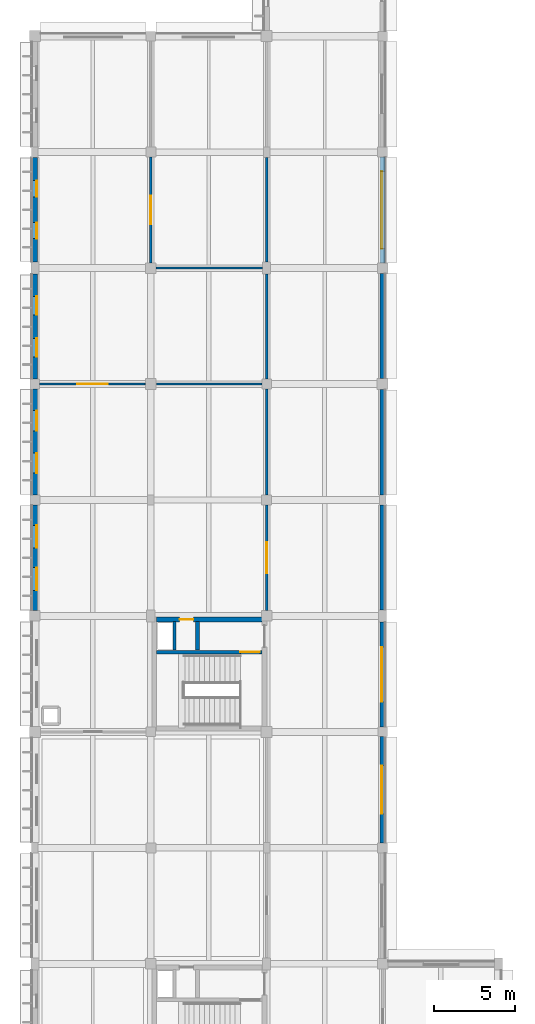
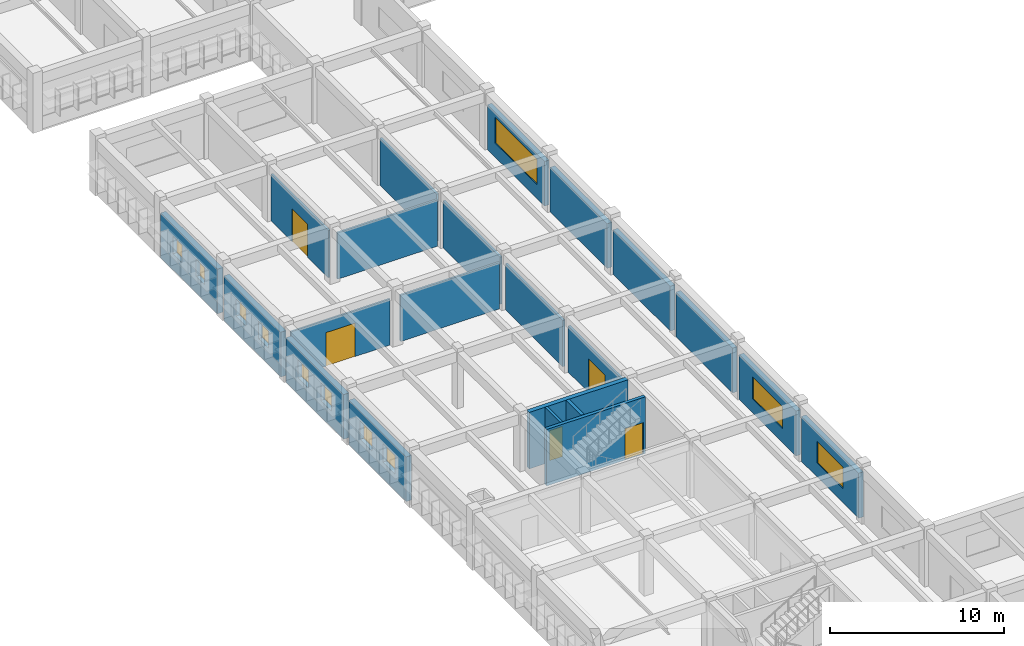
# One storey, part 22 of 38: 22 walls, 11 windows, 5 doors, 16 openings.
"""IFC4 building model written with IfcOpenShell, lengths in metres."""

from ifc_helpers import new_model, si_unit, direction, frame, frame_2d, origin, place, context, subcontext, project, spatial, rectangle, extrude, material, layer, layer_set, type_object, element, fill, save


model = new_model("IFC4")

# Units and contexts
model_context = context("Model", 3, precision=1e-05, world=origin(), true_north=direction((0.0, 1.0)))
body_context = subcontext(model_context, "Body", "Model", "MODEL_VIEW")
ifc_project = project(units=[si_unit("LENGTHUNIT", "METRE"), si_unit("AREAUNIT", "SQUARE_METRE"), si_unit("VOLUMEUNIT", "CUBIC_METRE"), si_unit("PLANEANGLEUNIT", "RADIAN"), si_unit("MASSUNIT", "GRAM", prefix="KILO")], contexts=[model_context])

# Site, building, storey
site_placement = place(None, origin())
site = spatial("IfcSite", under=ifc_project, at=site_placement, CompositionType="ELEMENT")
building_placement = place(site_placement, origin())
building = spatial("IfcBuilding", under=site, at=building_placement, Name="Thalmaran Polytechnic", CompositionType="ELEMENT")
storey_placement = place(building_placement, frame((0.0, 0.0, 18.60009765625)))
storey = spatial("IfcBuildingStorey", under=building, at=storey_placement, Name="L04", CompositionType="ELEMENT", Elevation=18.60009765625)

# Wall, openings, windows
ifc_material_1 = material(Name="Precast concrete C40/50", Category="concrete")
ifc_layer_1 = layer(ifc_material_1, 0.360107421875, Name="Precast concrete C40/50")
ifc_layer_set_1 = layer_set([ifc_layer_1], Name="Precast concrete C40/50")
wall_type_1 = type_object("IfcWallType", Name="WL-EW01", PredefinedType="STANDARD", material=ifc_layer_set_1)
wall_1_placement = place(storey_placement, frame((0.0, 50.72509765625, 0.0), z_axis=(0.0, 0.0, 1.0), x_axis=(0.0, 1.0, 0.0)))
wall_1 = element("IfcWall", 1, at=wall_1_placement, inside=storey, type_object=wall_type_1, Name="Exterior Precast Facade Wall L04-032", PredefinedType="STANDARD", context=body_context, shape_type="SweptSolid", body=[
    extrude(rectangle(XDim=6.56494140625, YDim=0.360107421875, at=frame_2d((3.282470703125, 0.0))), origin(), (0.0, 0.0, 1.0), 3.1298828125),
])
opening_1_placement = place(wall_1_placement, frame((1.26953125, 0.0, 1.14990234375)))
opening_1 = element("IfcOpeningElement", 2, at=opening_1_placement, cuts=wall_1, Name="Opening VW10", PredefinedType="OPENING", context=body_context, shape_type="SweptSolid", body=[
    extrude(rectangle(XDim=1.39990234375, YDim=1.300048828125, at=frame_2d((0.699951171875, 0.64990234375))), frame((0.0, 0.18994140625, 0.0), z_axis=(0.0, -1.0, 0.0), x_axis=(1.0, 0.0, 0.0)), (0.0, 0.0, 1.0), 0.380126953125),
])
opening_2_placement = place(wall_1_placement, frame((3.8955078125, 0.0, 1.14990234375)))
opening_2 = element("IfcOpeningElement", 3, at=opening_2_placement, cuts=wall_1, Name="Opening VW10", PredefinedType="OPENING", context=body_context, shape_type="SweptSolid", body=[
    extrude(rectangle(XDim=1.39990234375, YDim=1.300048828125, at=frame_2d((0.699951171875, 0.64990234375))), frame((0.0, 0.18994140625, 0.0), z_axis=(0.0, -1.0, 0.0), x_axis=(1.0, 0.0, 0.0)), (0.0, 0.0, 1.0), 0.380126953125),
])
ifc_material_2 = material(Name="Thermally broken aluminium and double low-E glass", Category="aluminium")
window_type_1 = type_object("IfcWindowType", Name="WN-VZ10", PartitioningType="SINGLE_PANEL", PredefinedType="WINDOW", material=ifc_material_2)
window_1_placement = place(opening_1_placement, origin())
window_1 = element("IfcWindow", 4, at=window_1_placement, inside=storey, type_object=window_type_1, Name="Deep-Set Solar-Screened Window W-0560", OverallHeight=1.300048828125, OverallWidth=1.39990234375, PartitioningType="SINGLE_PANEL", PredefinedType="WINDOW", context=body_context, shape_type="SweptSolid", body=[
    extrude(rectangle(XDim=1.39990234375, YDim=1.300048828125, at=frame_2d((0.699951171875, 0.64990234375))), frame((0.0, -0.080078125, 0.0), z_axis=(0.0, -1.0, 0.0), x_axis=(1.0, 0.0, 0.0)), (0.0, 0.0, 1.0), 0.06005859375),
])
fill(opening_1, window_1)
window_2_placement = place(opening_2_placement, origin())
window_2 = element("IfcWindow", 5, at=window_2_placement, inside=storey, type_object=window_type_1, Name="Deep-Set Solar-Screened Window W-0561", OverallHeight=1.300048828125, OverallWidth=1.39990234375, PartitioningType="SINGLE_PANEL", PredefinedType="WINDOW", context=body_context, shape_type="SweptSolid", body=[
    extrude(rectangle(XDim=1.39990234375, YDim=1.300048828125, at=frame_2d((0.699951171875, 0.64990234375))), frame((0.0, -0.080078125, 0.0), z_axis=(0.0, -1.0, 0.0), x_axis=(1.0, 0.0, 0.0)), (0.0, 0.0, 1.0), 0.06005859375),
])
fill(opening_2, window_2)

wall_2_placement = place(storey_placement, frame((0.0, 57.909912109375, 0.0), z_axis=(0.0, 0.0, 1.0), x_axis=(0.0, 1.0, 0.0)))
wall_2 = element("IfcWall", 6, at=wall_2_placement, inside=storey, type_object=wall_type_1, Name="Exterior Precast Facade Wall L04-033", PredefinedType="STANDARD", context=body_context, shape_type="SweptSolid", body=[
    extrude(rectangle(XDim=6.590087890625, YDim=0.360107421875, at=frame_2d((3.294921875, 0.0))), origin(), (0.0, 0.0, 1.0), 3.1298828125),
])
opening_3_placement = place(wall_2_placement, frame((1.35205078125, 0.0, 1.14990234375)))
opening_3 = element("IfcOpeningElement", 7, at=opening_3_placement, cuts=wall_2, Name="Opening VW11", PredefinedType="OPENING", context=body_context, shape_type="SweptSolid", body=[
    extrude(rectangle(XDim=1.25, YDim=1.25, at=frame_2d((0.625, 0.625))), frame((0.0, 0.18994140625, 0.0), z_axis=(0.0, -1.0, 0.0), x_axis=(1.0, 0.0, 0.0)), (0.0, 0.0, 1.0), 0.380126953125),
])
opening_4_placement = place(wall_2_placement, frame((3.988037109375, 0.0, 1.14990234375)))
opening_4 = element("IfcOpeningElement", 8, at=opening_4_placement, cuts=wall_2, Name="Opening VW11", PredefinedType="OPENING", context=body_context, shape_type="SweptSolid", body=[
    extrude(rectangle(XDim=1.25, YDim=1.25, at=frame_2d((0.625, 0.625))), frame((0.0, 0.18994140625, 0.0), z_axis=(0.0, -1.0, 0.0), x_axis=(1.0, 0.0, 0.0)), (0.0, 0.0, 1.0), 0.380126953125),
])
window_type_2 = type_object("IfcWindowType", Name="WN-VZ11", PartitioningType="SINGLE_PANEL", PredefinedType="WINDOW", material=ifc_material_2)
window_3_placement = place(opening_3_placement, origin())
window_3 = element("IfcWindow", 9, at=window_3_placement, inside=storey, type_object=window_type_2, Name="Deep-Set Solar-Screened Window W-0562", OverallHeight=1.25, OverallWidth=1.25, PartitioningType="SINGLE_PANEL", PredefinedType="WINDOW", context=body_context, shape_type="SweptSolid", body=[
    extrude(rectangle(XDim=1.25, YDim=1.25, at=frame_2d((0.625, 0.625))), frame((0.0, -0.080078125, 0.0), z_axis=(0.0, -1.0, 0.0), x_axis=(1.0, 0.0, 0.0)), (0.0, 0.0, 1.0), 0.06005859375),
])
fill(opening_3, window_3)
window_4_placement = place(opening_4_placement, origin())
window_4 = element("IfcWindow", 10, at=window_4_placement, inside=storey, type_object=window_type_2, Name="Deep-Set Solar-Screened Window W-0563", OverallHeight=1.25, OverallWidth=1.25, PartitioningType="SINGLE_PANEL", PredefinedType="WINDOW", context=body_context, shape_type="SweptSolid", body=[
    extrude(rectangle(XDim=1.25, YDim=1.25, at=frame_2d((0.625, 0.625))), frame((0.0, -0.080078125, 0.0), z_axis=(0.0, -1.0, 0.0), x_axis=(1.0, 0.0, 0.0)), (0.0, 0.0, 1.0), 0.06005859375),
])
fill(opening_4, window_4)

wall_3_placement = place(storey_placement, frame((0.0, 65.10009765625, 0.0), z_axis=(0.0, 0.0, 1.0), x_axis=(0.0, 1.0, 0.0)))
wall_3 = element("IfcWall", 11, at=wall_3_placement, inside=storey, type_object=wall_type_1, Name="Exterior Precast Facade Wall L04-034", PredefinedType="STANDARD", context=body_context, shape_type="SweptSolid", body=[
    extrude(rectangle(XDim=6.52490234375, YDim=0.360107421875, at=frame_2d((3.262451171875, 0.0))), origin(), (0.0, 0.0, 1.0), 3.1298828125),
])
opening_5_placement = place(wall_3_placement, frame((1.382568359375, 0.0, 1.14990234375)))
opening_5 = element("IfcOpeningElement", 12, at=opening_5_placement, cuts=wall_3, Name="Opening VW12", PredefinedType="OPENING", context=body_context, shape_type="SweptSolid", body=[
    extrude(rectangle(XDim=1.14990234375, YDim=1.199951171875, at=frame_2d((0.574951171875, 0.60009765625))), frame((0.0, 0.18994140625, 0.0), z_axis=(0.0, -1.0, 0.0), x_axis=(1.0, 0.0, 0.0)), (0.0, 0.0, 1.0), 0.380126953125),
])
opening_6_placement = place(wall_3_placement, frame((3.992431640625, 0.0, 1.14990234375)))
opening_6 = element("IfcOpeningElement", 13, at=opening_6_placement, cuts=wall_3, Name="Opening VW12", PredefinedType="OPENING", context=body_context, shape_type="SweptSolid", body=[
    extrude(rectangle(XDim=1.14990234375, YDim=1.199951171875, at=frame_2d((0.574951171875, 0.60009765625))), frame((0.0, 0.18994140625, 0.0), z_axis=(0.0, -1.0, 0.0), x_axis=(1.0, 0.0, 0.0)), (0.0, 0.0, 1.0), 0.380126953125),
])
window_type_3 = type_object("IfcWindowType", Name="WN-VZ12", PartitioningType="SINGLE_PANEL", PredefinedType="WINDOW", material=ifc_material_2)
window_5_placement = place(opening_5_placement, origin())
window_5 = element("IfcWindow", 14, at=window_5_placement, inside=storey, type_object=window_type_3, Name="Deep-Set Solar-Screened Window W-0564", OverallHeight=1.199951171875, OverallWidth=1.14990234375, PartitioningType="SINGLE_PANEL", PredefinedType="WINDOW", context=body_context, shape_type="SweptSolid", body=[
    extrude(rectangle(XDim=1.14990234375, YDim=1.199951171875, at=frame_2d((0.574951171875, 0.60009765625))), frame((0.0, -0.080078125, 0.0), z_axis=(0.0, -1.0, 0.0), x_axis=(1.0, 0.0, 0.0)), (0.0, 0.0, 1.0), 0.06005859375),
])
fill(opening_5, window_5)
window_6_placement = place(opening_6_placement, origin())
window_6 = element("IfcWindow", 15, at=window_6_placement, inside=storey, type_object=window_type_3, Name="Deep-Set Solar-Screened Window W-0565", OverallHeight=1.199951171875, OverallWidth=1.14990234375, PartitioningType="SINGLE_PANEL", PredefinedType="WINDOW", context=body_context, shape_type="SweptSolid", body=[
    extrude(rectangle(XDim=1.14990234375, YDim=1.199951171875, at=frame_2d((0.574951171875, 0.60009765625))), frame((0.0, -0.080078125, 0.0), z_axis=(0.0, -1.0, 0.0), x_axis=(1.0, 0.0, 0.0)), (0.0, 0.0, 1.0), 0.06005859375),
])
fill(opening_6, window_6)

wall_4_placement = place(storey_placement, frame((0.0, 72.375, 0.0), z_axis=(0.0, 0.0, 1.0), x_axis=(0.0, 1.0, 0.0)))
wall_4 = element("IfcWall", 16, at=wall_4_placement, inside=storey, type_object=wall_type_1, Name="Exterior Precast Facade Wall L04-035", PredefinedType="STANDARD", context=body_context, shape_type="SweptSolid", body=[
    extrude(rectangle(XDim=6.5048828125, YDim=0.360107421875, at=frame_2d((3.25244140625, 0.0))), origin(), (0.0, 0.0, 1.0), 3.1298828125),
])
opening_7_placement = place(wall_4_placement, frame((1.451416015625, 0.0, 1.14990234375)))
opening_7 = element("IfcOpeningElement", 17, at=opening_7_placement, cuts=wall_4, Name="Opening VW13", PredefinedType="OPENING", context=body_context, shape_type="SweptSolid", body=[
    extrude(rectangle(XDim=1.0, YDim=1.199951171875, at=frame_2d((0.5, 0.60009765625))), frame((0.0, 0.18994140625, 0.0), z_axis=(0.0, -1.0, 0.0), x_axis=(1.0, 0.0, 0.0)), (0.0, 0.0, 1.0), 0.380126953125),
])
opening_8_placement = place(wall_4_placement, frame((4.053466796875, 0.0, 1.14990234375)))
opening_8 = element("IfcOpeningElement", 18, at=opening_8_placement, cuts=wall_4, Name="Opening VW13", PredefinedType="OPENING", context=body_context, shape_type="SweptSolid", body=[
    extrude(rectangle(XDim=1.0, YDim=1.199951171875, at=frame_2d((0.5, 0.60009765625))), frame((0.0, 0.18994140625, 0.0), z_axis=(0.0, -1.0, 0.0), x_axis=(1.0, 0.0, 0.0)), (0.0, 0.0, 1.0), 0.380126953125),
])
window_type_4 = type_object("IfcWindowType", Name="WN-VZ13", PartitioningType="SINGLE_PANEL", PredefinedType="WINDOW", material=ifc_material_2)
window_7_placement = place(opening_7_placement, origin())
window_7 = element("IfcWindow", 19, at=window_7_placement, inside=storey, type_object=window_type_4, Name="Deep-Set Solar-Screened Window W-0566", OverallHeight=1.199951171875, OverallWidth=1.0, PartitioningType="SINGLE_PANEL", PredefinedType="WINDOW", context=body_context, shape_type="SweptSolid", body=[
    extrude(rectangle(XDim=1.0, YDim=1.199951171875, at=frame_2d((0.5, 0.60009765625))), frame((0.0, -0.080078125, 0.0), z_axis=(0.0, -1.0, 0.0), x_axis=(1.0, 0.0, 0.0)), (0.0, 0.0, 1.0), 0.06005859375),
])
fill(opening_7, window_7)
window_8_placement = place(opening_8_placement, origin())
window_8 = element("IfcWindow", 20, at=window_8_placement, inside=storey, type_object=window_type_4, Name="Deep-Set Solar-Screened Window W-0567", OverallHeight=1.199951171875, OverallWidth=1.0, PartitioningType="SINGLE_PANEL", PredefinedType="WINDOW", context=body_context, shape_type="SweptSolid", body=[
    extrude(rectangle(XDim=1.0, YDim=1.199951171875, at=frame_2d((0.5, 0.60009765625))), frame((0.0, -0.080078125, 0.0), z_axis=(0.0, -1.0, 0.0), x_axis=(1.0, 0.0, 0.0)), (0.0, 0.0, 1.0), 0.06005859375),
])
fill(opening_8, window_8)

# Wall, opening, window
ifc_layer_2 = layer(ifc_material_1, 0.31005859375, Name="Precast concrete C40/50")
ifc_layer_set_2 = layer_set([ifc_layer_2], Name="Precast concrete C40/50")
wall_type_2 = type_object("IfcWallType", Name="WL-EW03", PredefinedType="STANDARD", material=ifc_layer_set_2)
wall_5_placement = place(storey_placement, frame((21.60009765625, 78.889892578125, 0.0), z_axis=(0.0, 0.0, 1.0), x_axis=(0.0, -1.0, 0.0)))
wall_5 = element("IfcWall", 21, at=wall_5_placement, inside=storey, type_object=wall_type_2, Name="Exterior Precast Facade Wall L04-081", PredefinedType="STANDARD", context=body_context, shape_type="SweptSolid", body=[
    extrude(rectangle(XDim=6.56494140625, YDim=0.31005859375, at=frame_2d((3.282470703125, 0.0))), origin(), (0.0, 0.0, 1.0), 3.1298828125),
])
opening_9_placement = place(wall_5_placement, frame((0.882568359375, 0.0, 0.97998046875)))
opening_9 = element("IfcOpeningElement", 22, at=opening_9_placement, cuts=wall_5, Name="Opening RW07", PredefinedType="OPENING", context=body_context, shape_type="SweptSolid", body=[
    extrude(rectangle(XDim=4.800048828125, YDim=1.800048828125, at=frame_2d((2.39990234375, 0.89990234375))), frame((0.0, 0.1650390625, 0.0), z_axis=(0.0, -1.0, 0.0), x_axis=(1.0, 0.0, 0.0)), (0.0, 0.0, 1.0), 0.330078125),
])
window_type_5 = type_object("IfcWindowType", Name="WN-RW07", PartitioningType="TRIPLE_PANEL_HORIZONTAL", PredefinedType="WINDOW", material=ifc_material_2)
window_9_placement = place(opening_9_placement, origin())
window_9 = element("IfcWindow", 23, at=window_9_placement, inside=storey, type_object=window_type_5, Name="Streamline Ribbon Window W-0626", OverallHeight=1.800048828125, OverallWidth=4.800048828125, PartitioningType="SINGLE_PANEL", PredefinedType="WINDOW", context=body_context, shape_type="SweptSolid", body=[
    extrude(rectangle(XDim=4.800048828125, YDim=1.800048828125, at=frame_2d((2.39990234375, 0.89990234375))), frame((0.0, -0.030029296875, 0.0), z_axis=(0.0, -1.0, 0.0), x_axis=(1.0, 0.0, 0.0)), (0.0, 0.0, 1.0), 0.06005859375),
])
fill(opening_9, window_9)

# Walls
wall_6_placement = place(storey_placement, frame((21.60009765625, 71.675048828125, 0.0), z_axis=(0.0, 0.0, 1.0), x_axis=(0.0, -1.0, 0.0)))
element("IfcWall", 24, at=wall_6_placement, inside=storey, type_object=wall_type_2, Name="Exterior Precast Facade Wall L04-082", PredefinedType="STANDARD", context=body_context, shape_type="SweptSolid", body=[
    extrude(rectangle(XDim=6.53515625, YDim=0.31005859375, at=frame_2d((3.267578125, 0.0))), origin(), (0.0, 0.0, 1.0), 3.1298828125),
])
wall_7_placement = place(storey_placement, frame((21.60009765625, 64.4599609375, 0.0), z_axis=(0.0, 0.0, 1.0), x_axis=(0.0, -1.0, 0.0)))
element("IfcWall", 25, at=wall_7_placement, inside=storey, type_object=wall_type_2, Name="Exterior Precast Facade Wall L04-083", PredefinedType="STANDARD", context=body_context, shape_type="SweptSolid", body=[
    extrude(rectangle(XDim=6.5400390625, YDim=0.31005859375, at=frame_2d((3.27001953125, 0.0))), origin(), (0.0, 0.0, 1.0), 3.1298828125),
])
wall_8_placement = place(storey_placement, frame((21.60009765625, 57.280029296875, 0.0), z_axis=(0.0, 0.0, 1.0), x_axis=(0.0, -1.0, 0.0)))
element("IfcWall", 26, at=wall_8_placement, inside=storey, type_object=wall_type_2, Name="Exterior Precast Facade Wall L04-084", PredefinedType="STANDARD", context=body_context, shape_type="SweptSolid", body=[
    extrude(rectangle(XDim=6.505126953125, YDim=0.31005859375, at=frame_2d((3.25244140625, 0.0))), origin(), (0.0, 0.0, 1.0), 3.1298828125),
])

# Wall, opening, window
wall_9_placement = place(storey_placement, frame((21.60009765625, 50.02490234375, 0.0), z_axis=(0.0, 0.0, 1.0), x_axis=(0.0, -1.0, 0.0)))
wall_9 = element("IfcWall", 27, at=wall_9_placement, inside=storey, type_object=wall_type_2, Name="Exterior Precast Facade Wall L04-085", PredefinedType="STANDARD", context=body_context, shape_type="SweptSolid", body=[
    extrude(rectangle(XDim=6.52490234375, YDim=0.31005859375, at=frame_2d((3.262451171875, 0.0))), origin(), (0.0, 0.0, 1.0), 3.14990234375),
])
opening_10_placement = place(wall_9_placement, frame((1.5625, 0.0, 0.97998046875)))
opening_10 = element("IfcOpeningElement", 28, at=opening_10_placement, cuts=wall_9, Name="Opening VW03", PredefinedType="OPENING", context=body_context, shape_type="SweptSolid", body=[
    extrude(rectangle(XDim=3.39990234375, YDim=1.550048828125, at=frame_2d((1.699951171875, 0.77490234375))), frame((0.0, 0.1650390625, 0.0), z_axis=(0.0, -1.0, 0.0), x_axis=(1.0, 0.0, 0.0)), (0.0, 0.0, 1.0), 0.330078125),
])
window_type_6 = type_object("IfcWindowType", Name="WN-VZ03", PartitioningType="DOUBLE_PANEL_VERTICAL", PredefinedType="WINDOW", material=ifc_material_2)
window_10_placement = place(opening_10_placement, origin())
window_10 = element("IfcWindow", 29, at=window_10_placement, inside=storey, type_object=window_type_6, Name="Streamline Ribbon Window W-0627", OverallHeight=1.550048828125, OverallWidth=3.39990234375, PartitioningType="SINGLE_PANEL", PredefinedType="WINDOW", context=body_context, shape_type="SweptSolid", body=[
    extrude(rectangle(XDim=3.39990234375, YDim=1.550048828125, at=frame_2d((1.699951171875, 0.77490234375))), frame((0.0, -0.030029296875, 0.0), z_axis=(0.0, -1.0, 0.0), x_axis=(1.0, 0.0, 0.0)), (0.0, 0.0, 1.0), 0.06005859375),
])
fill(opening_10, window_10)

wall_10_placement = place(storey_placement, frame((21.60009765625, 42.89990234375, 0.0), z_axis=(0.0, 0.0, 1.0), x_axis=(0.0, -1.0, 0.0)))
wall_10 = element("IfcWall", 30, at=wall_10_placement, inside=storey, type_object=wall_type_2, Name="Exterior Precast Facade Wall L04-086", PredefinedType="STANDARD", context=body_context, shape_type="SweptSolid", body=[
    extrude(rectangle(XDim=6.58984375, YDim=0.31005859375, at=frame_2d((3.294921875, 0.0))), origin(), (0.0, 0.0, 1.0), 3.14990234375),
])
opening_11_placement = place(wall_10_placement, frame((1.794921875, 0.0, 0.97998046875)))
opening_11 = element("IfcOpeningElement", 31, at=opening_11_placement, cuts=wall_10, Name="Opening VW04", PredefinedType="OPENING", context=body_context, shape_type="SweptSolid", body=[
    extrude(rectangle(XDim=3.0, YDim=1.5, at=frame_2d((1.5, 0.75))), frame((0.0, 0.1650390625, 0.0), z_axis=(0.0, -1.0, 0.0), x_axis=(1.0, 0.0, 0.0)), (0.0, 0.0, 1.0), 0.330078125),
])
window_type_7 = type_object("IfcWindowType", Name="WN-VZ04", PartitioningType="DOUBLE_PANEL_VERTICAL", PredefinedType="WINDOW", material=ifc_material_2)
window_11_placement = place(opening_11_placement, origin())
window_11 = element("IfcWindow", 32, at=window_11_placement, inside=storey, type_object=window_type_7, Name="Streamline Ribbon Window W-0628", OverallHeight=1.5, OverallWidth=3.0, PartitioningType="SINGLE_PANEL", PredefinedType="WINDOW", context=body_context, shape_type="SweptSolid", body=[
    extrude(rectangle(XDim=3.0, YDim=1.5, at=frame_2d((1.5, 0.75))), frame((0.0, -0.030029296875, 0.0), z_axis=(0.0, -1.0, 0.0), x_axis=(1.0, 0.0, 0.0)), (0.0, 0.0, 1.0), 0.06005859375),
])
fill(opening_11, window_11)

# Walls
ifc_material_3 = material(Name="Autoclaved aerated masonry", Category="masonry")
ifc_layer_3 = layer(ifc_material_3, 0.22998046875, Name="Autoclaved aerated masonry")
ifc_layer_set_3 = layer_set([ifc_layer_3], Name="Autoclaved aerated masonry")
wall_type_3 = type_object("IfcWallType", Name="WL-IW02", PredefinedType="PARTITIONING", material=ifc_layer_set_3)
wall_11_placement = place(storey_placement, frame((10.10009765625, 48.300048828125, 0.0), z_axis=(0.0, 0.0, 1.0), x_axis=(0.0, 1.0, 0.0)))
element("IfcWall", 33, at=wall_11_placement, inside=storey, type_object=wall_type_3, Name="Core C4 Riser Partition L04", PredefinedType="PARTITIONING", context=body_context, shape_type="SweptSolid", body=[
    extrude(rectangle(XDim=1.739990234375, YDim=0.22998046875, at=frame_2d((0.8701171875, 0.0))), origin(), (0.0, 0.0, 1.0), 3.954833984375),
])
ifc_layer_4 = layer(ifc_material_3, 0.179931640625, Name="Autoclaved aerated masonry")
ifc_layer_set_4 = layer_set([ifc_layer_4], Name="Autoclaved aerated masonry")
wall_type_4 = type_object("IfcWallType", Name="WL-IW04", PredefinedType="PARTITIONING", material=ifc_layer_set_4)
wall_12_placement = place(storey_placement, frame((8.679931640625, 48.280029296875, 0.0), z_axis=(0.0, 0.0, 1.0), x_axis=(0.0, 1.0, 0.0)))
element("IfcWall", 34, at=wall_12_placement, inside=storey, type_object=wall_type_4, Name="Core C4 Riser Shaft Enclosure Wall L04", PredefinedType="PARTITIONING", context=body_context, shape_type="SweptSolid", body=[
    extrude(rectangle(XDim=1.760009765625, YDim=0.179931640625, at=frame_2d((0.8798828125, 0.0))), origin(), (0.0, 0.0, 1.0), 3.954833984375),
])

# Wall, opening, door
ifc_material_4 = material(Name="Gypsum acoustic partition")
ifc_layer_5 = layer(ifc_material_4, 0.14501953125, Name="Gypsum acoustic partition")
ifc_layer_set_5 = layer_set([ifc_layer_5], Name="Gypsum acoustic partition")
wall_type_5 = type_object("IfcWallType", Name="WL-IW06", PredefinedType="PARTITIONING", material=ifc_layer_set_5)
wall_13_placement = place(storey_placement, frame((14.39990234375, 50.72998046875, 0.0), z_axis=(0.0, 0.0, 1.0), x_axis=(0.0, 1.0, 0.0)))
wall_13 = element("IfcWall", 35, at=wall_13_placement, inside=storey, type_object=wall_type_5, Name="Interior Partition IW06 L04-014", PredefinedType="PARTITIONING", context=body_context, shape_type="SweptSolid", body=[
    extrude(rectangle(XDim=6.554931640625, YDim=0.14501953125, at=frame_2d((3.27734375, 0.0))), origin(), (0.0, 0.0, 1.0), 3.239990234375),
])
opening_12_placement = place(wall_13_placement, frame((2.3173828125, 0.0, 0.0)))
opening_12 = element("IfcOpeningElement", 36, at=opening_12_placement, cuts=wall_13, Name="Opening D-L04-005-1-03-2", PredefinedType="OPENING", context=body_context, shape_type="SweptSolid", body=[
    extrude(rectangle(XDim=1.919921875, YDim=2.35009765625, at=frame_2d((0.9599609375, 1.175048828125))), frame((0.0, 0.08251953125, 0.0), z_axis=(0.0, -1.0, 0.0), x_axis=(1.0, 0.0, 0.0)), (0.0, 0.0, 1.0), 0.1650390625),
])
ifc_material_5 = material(Name="Acoustic hardwood and vision glass", Category="wood")
door_type_1 = type_object("IfcDoorType", Name="DR-ZD01", OperationType="NOTDEFINED", PredefinedType="DOOR", material=ifc_material_5)
door_1_placement = place(opening_12_placement, origin())
door_1 = element("IfcDoor", 37, at=door_1_placement, inside=storey, type_object=door_type_1, Name="Environmental Engineering Laboratory L04-03 Door 2", OperationType="SINGLE_SWING_LEFT", OverallHeight=2.35009765625, OverallWidth=1.919921875, PredefinedType="DOOR", context=body_context, shape_type="SweptSolid", body=[
    extrude(rectangle(XDim=1.919921875, YDim=2.35009765625, at=frame_2d((0.9599609375, 1.175048828125))), frame((0.0, 0.02490234375, 0.0), z_axis=(0.0, -1.0, 0.0), x_axis=(1.0, 0.0, 0.0)), (0.0, 0.0, 1.0), 0.050048828125),
])
fill(opening_12, door_1)

# Walls
wall_14_placement = place(storey_placement, frame((14.39990234375, 57.9150390625, 0.0), z_axis=(0.0, 0.0, 1.0), x_axis=(0.0, 1.0, 0.0)))
element("IfcWall", 38, at=wall_14_placement, inside=storey, type_object=wall_type_5, Name="Interior Partition IW06 L04-015", PredefinedType="PARTITIONING", context=body_context, shape_type="SweptSolid", body=[
    extrude(rectangle(XDim=6.580078125, YDim=0.14501953125, at=frame_2d((3.2900390625, 0.0))), origin(), (0.0, 0.0, 1.0), 3.239990234375),
])
wall_15_placement = place(storey_placement, frame((14.39990234375, 65.10498046875, 0.0), z_axis=(0.0, 0.0, 1.0), x_axis=(0.0, 1.0, 0.0)))
element("IfcWall", 39, at=wall_15_placement, inside=storey, type_object=wall_type_5, Name="Interior Partition IW06 L04-017", PredefinedType="PARTITIONING", context=body_context, shape_type="SweptSolid", body=[
    extrude(rectangle(XDim=6.51513671875, YDim=0.14501953125, at=frame_2d((3.257568359375, 0.0))), origin(), (0.0, 0.0, 1.0), 3.304931640625),
])
wall_16_placement = place(storey_placement, frame((14.39990234375, 72.3798828125, 0.0), z_axis=(0.0, 0.0, 1.0), x_axis=(0.0, 1.0, 0.0)))
element("IfcWall", 40, at=wall_16_placement, inside=storey, type_object=wall_type_5, Name="Interior Partition IW06 L04-019", PredefinedType="PARTITIONING", context=body_context, shape_type="SweptSolid", body=[
    extrude(rectangle(XDim=6.4951171875, YDim=0.14501953125, at=frame_2d((3.24755859375, 0.0))), origin(), (0.0, 0.0, 1.0), 3.2998046875),
])

# Wall, opening, door
ifc_layer_6 = layer(ifc_material_4, 0.1298828125, Name="Gypsum acoustic partition")
ifc_layer_set_6 = layer_set([ifc_layer_6], Name="Gypsum acoustic partition")
wall_type_6 = type_object("IfcWallType", Name="WL-IW07", PredefinedType="PARTITIONING", material=ifc_layer_set_6)
wall_17_placement = place(storey_placement, frame((7.199951171875, 72.330078125, 0.0), z_axis=(0.0, 0.0, 1.0), x_axis=(0.0, 1.0, 0.0)))
wall_17 = element("IfcWall", 41, at=wall_17_placement, inside=storey, type_object=wall_type_6, Name="Interior Partition IW07 L04-004", PredefinedType="PARTITIONING", context=body_context, shape_type="SweptSolid", body=[
    extrude(rectangle(XDim=6.554931640625, YDim=0.1298828125, at=frame_2d((3.27734375, 0.0))), origin(), (0.0, 0.0, 1.0), 3.2998046875),
])
opening_13_placement = place(wall_17_placement, frame((2.3974609375, 0.0, 0.0)))
opening_13 = element("IfcOpeningElement", 42, at=opening_13_placement, cuts=wall_17, Name="Opening D-L04-007-1-05-1", PredefinedType="OPENING", context=body_context, shape_type="SweptSolid", body=[
    extrude(rectangle(XDim=1.760009765625, YDim=2.300048828125, at=frame_2d((0.8798828125, 1.14990234375))), frame((0.0, 0.074951171875, 0.0), z_axis=(0.0, -1.0, 0.0), x_axis=(1.0, 0.0, 0.0)), (0.0, 0.0, 1.0), 0.14990234375),
])
door_type_2 = type_object("IfcDoorType", Name="DR-ZD02", OperationType="NOTDEFINED", PredefinedType="DOOR", material=ifc_material_5)
door_2_placement = place(opening_13_placement, origin())
door_2 = element("IfcDoor", 43, at=door_2_placement, inside=storey, type_object=door_type_2, Name="Fluid Mechanics Laboratory L04-05 Door 1", OperationType="SINGLE_SWING_LEFT", OverallHeight=2.300048828125, OverallWidth=1.760009765625, PredefinedType="DOOR", context=body_context, shape_type="SweptSolid", body=[
    extrude(rectangle(XDim=1.760009765625, YDim=2.300048828125, at=frame_2d((0.8798828125, 1.14990234375))), frame((0.0, 0.02490234375, 0.0), z_axis=(0.0, -1.0, 0.0), x_axis=(1.0, 0.0, 0.0)), (0.0, 0.0, 1.0), 0.050048828125),
])
fill(opening_13, door_2)

# Walls
wall_18_placement = place(storey_placement, frame((7.544921875, 64.800048828125, 0.0), z_axis=(0.0, 0.0, 1.0), x_axis=(1.0, 0.0, 0.0)))
element("IfcWall", 44, at=wall_18_placement, inside=storey, type_object=wall_type_6, Name="Interior Partition IW07 L04-016", PredefinedType="PARTITIONING", context=body_context, shape_type="SweptSolid", body=[
    extrude(rectangle(XDim=6.550048828125, YDim=0.1298828125, at=frame_2d((3.27490234375, 0.0))), origin(), (0.0, 0.0, 1.0), 3.23486328125),
])
wall_19_placement = place(storey_placement, frame((7.530029296875, 72.0, 0.0), z_axis=(0.0, 0.0, 1.0), x_axis=(1.0, 0.0, 0.0)))
element("IfcWall", 45, at=wall_19_placement, inside=storey, type_object=wall_type_6, Name="Interior Partition IW07 L04-018", PredefinedType="PARTITIONING", context=body_context, shape_type="SweptSolid", body=[
    extrude(rectangle(XDim=6.614990234375, YDim=0.1298828125, at=frame_2d((3.3076171875, 0.0))), origin(), (0.0, 0.0, 1.0), 3.23486328125),
])

# Wall, opening, door
ifc_layer_7 = layer(ifc_material_4, 0.114990234375, Name="Gypsum acoustic partition")
ifc_layer_set_7 = layer_set([ifc_layer_7], Name="Gypsum acoustic partition")
wall_type_7 = type_object("IfcWallType", Name="WL-IW08", PredefinedType="PARTITIONING", material=ifc_layer_set_7)
wall_20_placement = place(storey_placement, frame((0.304931640625, 64.800048828125, 0.0), z_axis=(0.0, 0.0, 1.0), x_axis=(1.0, 0.0, 0.0)))
wall_20 = element("IfcWall", 46, at=wall_20_placement, inside=storey, type_object=wall_type_7, Name="Interior Partition IW08 L04-003", PredefinedType="PARTITIONING", context=body_context, shape_type="SweptSolid", body=[
    extrude(rectangle(XDim=6.550048828125, YDim=0.114990234375, at=frame_2d((3.27490234375, 0.0))), origin(), (0.0, 0.0, 1.0), 3.21484375),
])
opening_14_placement = place(wall_20_placement, frame((2.31494140625, 0.0, 0.0)))
opening_14 = element("IfcOpeningElement", 47, at=opening_14_placement, cuts=wall_20, Name="Opening D-L04-006-1-04-1", PredefinedType="OPENING", context=body_context, shape_type="SweptSolid", body=[
    extrude(rectangle(XDim=1.919921875, YDim=2.35009765625, at=frame_2d((0.9599609375, 1.175048828125))), frame((0.0, 0.0673828125, 0.0), z_axis=(0.0, -1.0, 0.0), x_axis=(1.0, 0.0, 0.0)), (0.0, 0.0, 1.0), 0.135009765625),
])
door_3_placement = place(opening_14_placement, origin())
door_3 = element("IfcDoor", 48, at=door_3_placement, inside=storey, type_object=door_type_1, Name="Academic Department Suite L04-04 Door 1", OperationType="SINGLE_SWING_RIGHT", OverallHeight=2.35009765625, OverallWidth=1.919921875, PredefinedType="DOOR", context=body_context, shape_type="SweptSolid", body=[
    extrude(rectangle(XDim=1.919921875, YDim=2.35009765625, at=frame_2d((0.9599609375, 1.175048828125))), frame((0.0, 0.02490234375, 0.0), z_axis=(0.0, -1.0, 0.0), x_axis=(1.0, 0.0, 0.0)), (0.0, 0.0, 1.0), 0.050048828125),
])
fill(opening_14, door_3)

ifc_material_6 = material(Name="Concrete C50/60", Category="concrete")
ifc_layer_8 = layer(ifc_material_6, 0.300048828125, Name="Concrete C50/60")
ifc_layer_set_8 = layer_set([ifc_layer_8], Name="Concrete C50/60")
wall_type_8 = type_object("IfcWallType", Name="WL-SW04", PredefinedType="SHEAR", material=ifc_layer_set_8)
wall_21_placement = place(storey_placement, frame((7.570068359375, 50.179931640625, 0.0), z_axis=(0.0, 0.0, 1.0), x_axis=(1.0, 0.0, 0.0)))
wall_21 = element("IfcWall", 49, at=wall_21_placement, inside=storey, type_object=wall_type_8, Name="Core C4 North Shear Wall L04", PredefinedType="SHEAR", context=body_context, shape_type="SweptSolid", body=[
    extrude(rectangle(XDim=6.5400390625, YDim=0.300048828125, at=frame_2d((3.27001953125, 0.0))), origin(), (0.0, 0.0, 1.0), 3.954833984375),
])
opening_15_placement = place(wall_21_placement, frame((1.419921875, 0.0, 0.0)))
opening_15 = element("IfcOpeningElement", 50, at=opening_15_placement, cuts=wall_21, Name="Opening DR-C4-L04-R", PredefinedType="OPENING", context=body_context, shape_type="SweptSolid", body=[
    extrude(rectangle(XDim=0.85009765625, YDim=2.10009765625, at=frame_2d((0.425048828125, 1.050048828125))), frame((0.0, 0.159912109375, 0.0), z_axis=(0.0, -1.0, 0.0), x_axis=(1.0, 0.0, 0.0)), (0.0, 0.0, 1.0), 0.320068359375),
])
ifc_material_7 = material(Name="Powder-coated fire-rated steel", Category="steel")
door_type_3 = type_object("IfcDoorType", Name="DR-FD09", OperationType="NOTDEFINED", PredefinedType="DOOR", material=ifc_material_7)
door_4_placement = place(opening_15_placement, origin())
door_4 = element("IfcDoor", 51, at=door_4_placement, inside=storey, type_object=door_type_3, Name="Riser Access Fire Door C4 L04", OperationType="SINGLE_SWING_RIGHT", OverallHeight=2.10009765625, OverallWidth=0.85009765625, PredefinedType="DOOR", context=body_context, shape_type="SweptSolid", body=[
    extrude(rectangle(XDim=0.85009765625, YDim=2.10009765625, at=frame_2d((0.425048828125, 1.050048828125))), frame((0.0, 0.02490234375, 0.0), z_axis=(0.0, -1.0, 0.0), x_axis=(1.0, 0.0, 0.0)), (0.0, 0.0, 1.0), 0.050048828125),
])
fill(opening_15, door_4)

wall_22_placement = place(storey_placement, frame((7.570068359375, 48.159912109375, 0.0), z_axis=(0.0, 0.0, 1.0), x_axis=(1.0, 0.0, 0.0)))
wall_22 = element("IfcWall", 52, at=wall_22_placement, inside=storey, type_object=wall_type_8, Name="Core C4 Stair Partition L04", PredefinedType="SHEAR", context=body_context, shape_type="SweptSolid", body=[
    extrude(rectangle(XDim=6.5400390625, YDim=0.219970703125, at=frame_2d((3.27001953125, 0.0))), origin(), (0.0, 0.0, 1.0), 3.954833984375),
])
opening_16_placement = place(wall_22_placement, frame((5.199951171875, 0.0, 0.0)))
opening_16 = element("IfcOpeningElement", 53, at=opening_16_placement, cuts=wall_22, Name="Opening SD-ST4-L04", PredefinedType="OPENING", context=body_context, shape_type="SweptSolid", body=[
    extrude(rectangle(XDim=1.199951171875, YDim=2.199951171875, at=frame_2d((0.60009765625, 1.10009765625))), frame((0.0, 0.119873046875, 0.0), z_axis=(0.0, -1.0, 0.0), x_axis=(1.0, 0.0, 0.0)), (0.0, 0.0, 1.0), 0.239990234375),
])
door_type_4 = type_object("IfcDoorType", Name="DR-FD04", OperationType="NOTDEFINED", PredefinedType="DOOR", material=ifc_material_7)
door_5_placement = place(opening_16_placement, origin())
door_5 = element("IfcDoor", 54, at=door_5_placement, inside=storey, type_object=door_type_4, Name="Exit Stair Fire Door ST4 L04", OperationType="DOUBLE_DOOR_SINGLE_SWING", OverallHeight=2.199951171875, OverallWidth=1.199951171875, PredefinedType="DOOR", context=body_context, shape_type="SweptSolid", body=[
    extrude(rectangle(XDim=1.199951171875, YDim=2.199951171875, at=frame_2d((0.60009765625, 1.10009765625))), frame((0.0, 0.02490234375, 0.0), z_axis=(0.0, -1.0, 0.0), x_axis=(1.0, 0.0, 0.0)), (0.0, 0.0, 1.0), 0.050048828125),
])
fill(opening_16, door_5)

save(model, "model.ifc")
